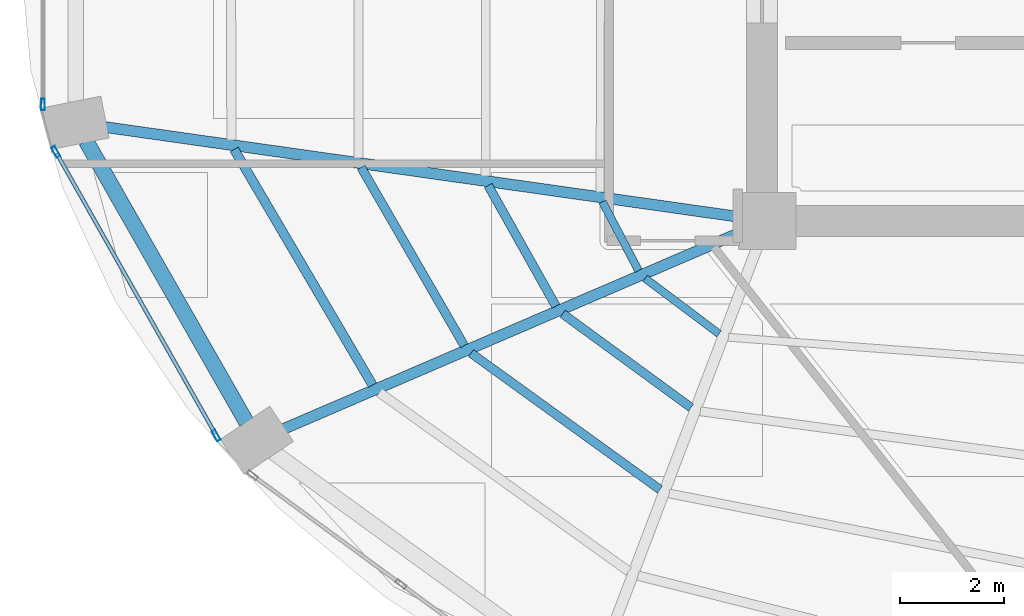
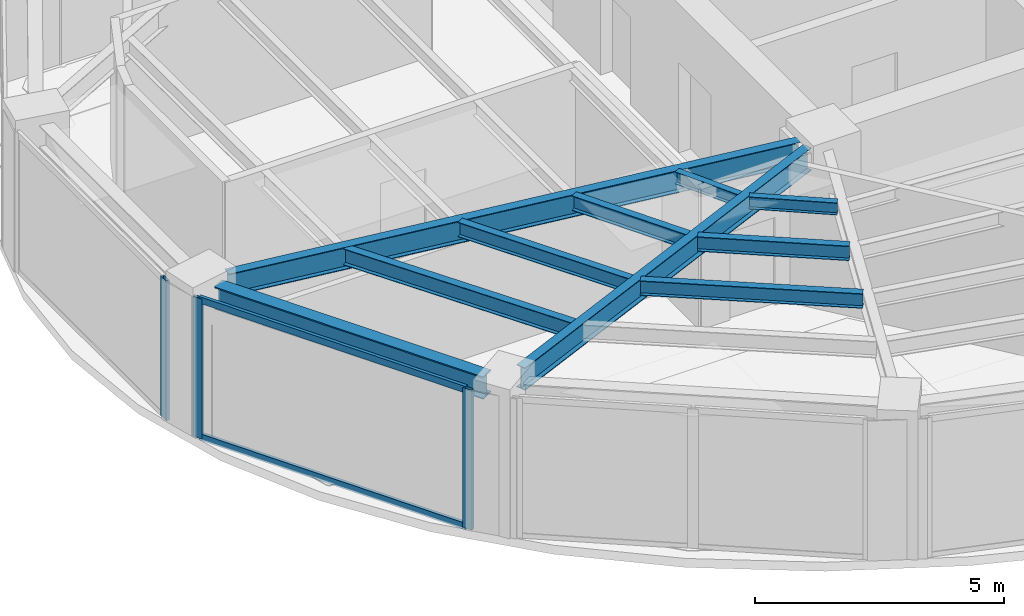
# One storey, part 3 of 20: 10 beams, 5 members, 2 elements without a shape of their own.
"""IFC4 building model written with IfcOpenShell, lengths in metres."""

from ifc_helpers import new_model, si_unit, direction, frame, origin, origin_2d, place, context, subcontext, project, spatial, hollow_rectangle, i_section, extrude, material, layer, layer_set, material_profile, profile_set, type_object, element, aggregate, save


model = new_model("IFC4")

# Units and contexts
model_context = context("Model", 3, precision=1e-05, world=origin(), true_north=direction((0.0, 1.0)))
body_context = subcontext(model_context, "Body", "Model", "MODEL_VIEW")
ifc_project = project(units=[si_unit("LENGTHUNIT", "METRE"), si_unit("AREAUNIT", "SQUARE_METRE"), si_unit("VOLUMEUNIT", "CUBIC_METRE"), si_unit("PLANEANGLEUNIT", "RADIAN"), si_unit("MASSUNIT", "GRAM", prefix="KILO")], contexts=[model_context])

# Site, building, storey
site_placement = place(None, origin())
site = spatial("IfcSite", under=ifc_project, at=site_placement, CompositionType="ELEMENT")
building_placement = place(site_placement, origin())
building = spatial("IfcBuilding", under=site, at=building_placement, Name="Lazwardi Medical Tower", CompositionType="ELEMENT")
storey_placement = place(building_placement, frame((0.0, 0.0, 152.8798828125)))
storey = spatial("IfcBuildingStorey", under=building, at=storey_placement, Name="L39", CompositionType="ELEMENT", Elevation=152.8798828125)

# Beams
ifc_material_1 = material(Name="Steel S355", Category="steel")
ifc_material_profile_1 = material_profile(ifc_material_1, i_section(OverallWidth=0.300048828125, OverallDepth=0.550048828125, WebThickness=0.014892578125, FlangeThickness=0.029052734375, at=origin_2d()), Name="HEB 550")
ifc_profile_set_1 = profile_set([ifc_material_profile_1], Name="Steel S355")
beam_type_1 = type_object("IfcBeamType", Name="BM-RB-Z3", PredefinedType="BEAM", material=ifc_profile_set_1)
beam_1_placement = place(storey_placement, frame((13.272216796875, 21.94091796875, 3.153076171875), z_axis=(0.495460926326, -0.868630226554, 0.0), x_axis=(0.868630226554, 0.495460926326, 0.0)))
element("IfcBeam", 1, at=beam_1_placement, inside=storey, type_object=beam_type_1, Name="Ring beam RB-04 B13 L39", PredefinedType="BEAM", context=body_context, shape_type="SweptSolid", body=[
    extrude(i_section(OverallWidth=0.300048828125, OverallDepth=0.550048828125, WebThickness=0.014892578125, FlangeThickness=0.029052734375, at=origin_2d()), origin(), (0.0, 0.0, 1.0), 6.24462890625),
])
ifc_material_profile_2 = material_profile(ifc_material_1, i_section(OverallWidth=0.2099609375, OverallDepth=0.550048828125, WebThickness=0.010986328125, FlangeThickness=0.01708984375, at=origin_2d()), Name="IPE 550")
ifc_profile_set_2 = profile_set([ifc_material_profile_2], Name="Steel S355")
beam_type_2 = type_object("IfcBeamType", Name="BM-RG-W2", PredefinedType="BEAM", material=ifc_profile_set_2)
beam_2_placement = place(storey_placement, frame((13.628662109375, 22.209716796875, 3.153076171875), z_axis=(0.99010958763, -0.140296131389, 0.0), x_axis=(0.140296131389, 0.99010958763, 0.0)))
element("IfcBeam", 2, at=beam_2_placement, inside=storey, type_object=beam_type_2, Name="Radial girder RG-03 R13 L39", PredefinedType="BEAM", context=body_context, shape_type="SweptSolid", body=[
    extrude(i_section(OverallWidth=0.2099609375, OverallDepth=0.550048828125, WebThickness=0.010986328125, FlangeThickness=0.01708984375, at=origin_2d()), origin(), (0.0, 0.0, 1.0), 12.364013671875),
])
beam_3_placement = place(storey_placement, frame((17.078857421875, 16.390380859375, 3.153076171875), z_axis=(0.918608156288, 0.395169653695, 0.0), x_axis=(-0.395169653695, 0.918608156288, 0.0)))
element("IfcBeam", 3, at=beam_3_placement, inside=storey, type_object=beam_type_2, Name="Radial girder RG-03 R14 L39", PredefinedType="BEAM", context=body_context, shape_type="SweptSolid", body=[
    extrude(i_section(OverallWidth=0.2099609375, OverallDepth=0.550048828125, WebThickness=0.010986328125, FlangeThickness=0.01708984375, at=origin_2d()), origin(), (0.0, 0.0, 1.0), 9.61181640625),
])
ifc_material_profile_3 = material_profile(ifc_material_1, i_section(OverallWidth=0.179931640625, OverallDepth=0.39990234375, WebThickness=0.008544921875, FlangeThickness=0.013427734375, at=origin_2d()), Name="IPE 400")
ifc_profile_set_3 = profile_set([ifc_material_profile_3], Name="Steel S355")
beam_type_3 = type_object("IfcBeamType", Name="BM-SJ-01", PredefinedType="JOIST", material=ifc_profile_set_3)
beam_4_placement = place(storey_placement, frame((16.127685546875, 21.776611328125, 3.22802734375), z_axis=(0.506420212881, -0.862286824662, 0.0), x_axis=(0.862286824662, 0.506420212881, 0.0)))
element("IfcBeam", 4, at=beam_4_placement, inside=storey, type_object=beam_type_3, Name="Secondary joist SJ-01 R1 B13 L39", PredefinedType="JOIST", context=body_context, shape_type="SweptSolid", body=[
    extrude(i_section(OverallWidth=0.179931640625, OverallDepth=0.39990234375, WebThickness=0.008544921875, FlangeThickness=0.013427734375, at=origin_2d()), origin(), (0.0, 0.0, 1.0), 5.265380859375),
])
ifc_material_profile_4 = material_profile(ifc_material_1, i_section(OverallWidth=0.169921875, OverallDepth=0.360107421875, WebThickness=0.008056640625, FlangeThickness=0.0126953125, at=origin_2d()), Name="IPE 360")
ifc_profile_set_4 = profile_set([ifc_material_profile_4], Name="Steel S355")
beam_type_4 = type_object("IfcBeamType", Name="BM-SJ-02", PredefinedType="JOIST", material=ifc_profile_set_4)
beam_5_placement = place(storey_placement, frame((18.5751953125, 21.42919921875, 3.248046875), z_axis=(0.500640648605, -0.865655209055, 0.0), x_axis=(0.865655209055, 0.500640648605, 0.0)))
element("IfcBeam", 5, at=beam_5_placement, inside=storey, type_object=beam_type_4, Name="Secondary joist SJ-02 R2 B13 L39", PredefinedType="JOIST", context=body_context, shape_type="SweptSolid", body=[
    extrude(i_section(OverallWidth=0.169921875, OverallDepth=0.360107421875, WebThickness=0.008056640625, FlangeThickness=0.0126953125, at=origin_2d()), origin(), (0.0, 0.0, 1.0), 3.965576171875),
])
beam_6_placement = place(storey_placement, frame((20.69189453125, 17.851318359375, 3.248046875), z_axis=(0.810738039179, -0.585409114917, 0.0), x_axis=(0.585409114917, 0.810738039179, 0.0)))
element("IfcBeam", 6, at=beam_6_placement, inside=storey, type_object=beam_type_4, Name="Secondary joist SJ-02 R2 B14 L39", PredefinedType="JOIST", context=body_context, shape_type="SweptSolid", body=[
    extrude(i_section(OverallWidth=0.169921875, OverallDepth=0.360107421875, WebThickness=0.008056640625, FlangeThickness=0.0126953125, at=origin_2d()), origin(), (0.0, 0.0, 1.0), 4.48779296875),
])
beam_7_placement = place(storey_placement, frame((21.022705078125, 21.081787109375, 3.248046875), z_axis=(0.489408945026, -0.872054404569, 0.0), x_axis=(0.872054404569, 0.489408945026, 0.0)))
element("IfcBeam", 7, at=beam_7_placement, inside=storey, type_object=beam_type_4, Name="Secondary joist SJ-02 R3 B13 L39", PredefinedType="JOIST", context=body_context, shape_type="SweptSolid", body=[
    extrude(i_section(OverallWidth=0.169921875, OverallDepth=0.360107421875, WebThickness=0.008056640625, FlangeThickness=0.0126953125, at=origin_2d()), origin(), (0.0, 0.0, 1.0), 2.666259765625),
])
beam_8_placement = place(storey_placement, frame((22.45751953125, 18.6103515625, 3.248046875), z_axis=(0.807285959008, -0.590160470033, 0.0), x_axis=(0.590160470033, 0.807285959008, 0.0)))
element("IfcBeam", 8, at=beam_8_placement, inside=storey, type_object=beam_type_4, Name="Secondary joist SJ-02 R3 B14 L39", PredefinedType="JOIST", context=body_context, shape_type="SweptSolid", body=[
    extrude(i_section(OverallWidth=0.169921875, OverallDepth=0.360107421875, WebThickness=0.008056640625, FlangeThickness=0.0126953125, at=origin_2d()), origin(), (0.0, 0.0, 1.0), 3.06298828125),
])
ifc_material_profile_5 = material_profile(ifc_material_1, i_section(OverallWidth=0.14990234375, OverallDepth=0.300048828125, WebThickness=0.007080078125, FlangeThickness=0.0107421875, at=origin_2d()), Name="IPE 300")
ifc_profile_set_5 = profile_set([ifc_material_profile_5], Name="Steel S355")
beam_type_5 = type_object("IfcBeamType", Name="BM-SJ-03", PredefinedType="JOIST", material=ifc_profile_set_5)
beam_9_placement = place(storey_placement, frame((23.2236328125, 20.768310546875, 3.278076171875), z_axis=(0.464469748171, -0.885588986513, 0.0), x_axis=(0.885588986513, 0.464469748171, 0.0)))
element("IfcBeam", 9, at=beam_9_placement, inside=storey, type_object=beam_type_5, Name="Secondary joist SJ-03 R4 B13 L39", PredefinedType="JOIST", context=body_context, shape_type="SweptSolid", body=[
    extrude(i_section(OverallWidth=0.14990234375, OverallDepth=0.300048828125, WebThickness=0.007080078125, FlangeThickness=0.0107421875, at=origin_2d()), origin(), (0.0, 0.0, 1.0), 1.498046875),
])
beam_10_placement = place(storey_placement, frame((24.0458984375, 19.29296875, 3.278076171875), z_axis=(0.799884834751, -0.600153522972, 0.0), x_axis=(0.600153522972, 0.799884834751, 0.0)))
element("IfcBeam", 10, at=beam_10_placement, inside=storey, type_object=beam_type_5, Name="Secondary joist SJ-03 R4 B14 L39", PredefinedType="JOIST", context=body_context, shape_type="SweptSolid", body=[
    extrude(i_section(OverallWidth=0.14990234375, OverallDepth=0.300048828125, WebThickness=0.007080078125, FlangeThickness=0.0107421875, at=origin_2d()), origin(), (0.0, 0.0, 1.0), 1.781005859375),
])

# Curtain wall, member
ifc_material_2 = material(Name="Anodised bronze aluminium and solar control glazing", Category="aluminium")
ifc_layer = layer(ifc_material_2, 0.195068359375)
ifc_layer_set = layer_set([ifc_layer], Name="Anodised bronze aluminium and solar control glazing")
curtain_wall_type = type_object("IfcCurtainWallType", Name="CW-SYS-03", PredefinedType="NOTDEFINED", material=ifc_layer_set)
curtain_wall_1_placement = place(storey_placement, origin())
curtain_wall_1 = element("IfcCurtainWall", 11, at=curtain_wall_1_placement, inside=storey, type_object=curtain_wall_type, Name="L39 Unitised bronze curtain wall CW-03", PredefinedType="NOTDEFINED")
ifc_material_3 = material(Name="Anodised bronze aluminium", Category="aluminium")
ifc_material_profile_6 = material_profile(ifc_material_3, hollow_rectangle(XDim=0.074951171875, YDim=0.219970703125, WallThickness=0.00390625, at=origin_2d()), Name="ALU-MULLION 220x75x4")
ifc_profile_set_6 = profile_set([ifc_material_profile_6], Name="Anodised bronze aluminium")
member_type_1 = type_object("IfcMemberType", Name="CW-MUL-01", PredefinedType="MULLION", material=ifc_profile_set_6)
member_1_placement = place(storey_placement, frame((12.4423828125, 22.64208984375, 0.0), z_axis=(0.0, 0.0, 1.0), x_axis=(1.0, 0.0, 0.0)))
member_1 = element("IfcMember", 12, at=member_1_placement, type_object=member_type_1, Name="CW-03 mullion 2", PredefinedType="MULLION", context=body_context, shape_type="SweptSolid", body=[
    extrude(hollow_rectangle(XDim=0.074951171875, YDim=0.219970703125, WallThickness=0.00390625, at=origin_2d()), origin(), (0.0, 0.0, 1.0), 3.42822265625),
])
aggregate(curtain_wall_1, [member_1])

# Curtain wall, members
curtain_wall_2_placement = place(storey_placement, origin())
curtain_wall_2 = element("IfcCurtainWall", 13, at=curtain_wall_2_placement, inside=storey, type_object=curtain_wall_type, Name="L39 Unitised bronze curtain wall CW-03", PredefinedType="NOTDEFINED")
member_2_placement = place(storey_placement, frame((12.68896484375, 21.732666015625, 0.0), z_axis=(0.0, 0.0, 1.0), x_axis=(0.870418989303, 0.492311672683, 0.0)))
member_2 = element("IfcMember", 14, at=member_2_placement, type_object=member_type_1, Name="CW-03 mullion 1", PredefinedType="MULLION", context=body_context, shape_type="SweptSolid", body=[
    extrude(hollow_rectangle(XDim=0.074951171875, YDim=0.219970703125, WallThickness=0.00390625, at=origin_2d()), origin(), (0.0, 0.0, 1.0), 3.42822265625),
])
member_3_placement = place(storey_placement, frame((15.782470703125, 16.26318359375, 0.0), z_axis=(0.0, 0.0, 1.0), x_axis=(0.870418989303, 0.492311672683, 0.0)))
member_3 = element("IfcMember", 15, at=member_3_placement, type_object=member_type_1, Name="CW-03 mullion 2", PredefinedType="MULLION", context=body_context, shape_type="SweptSolid", body=[
    extrude(hollow_rectangle(XDim=0.074951171875, YDim=0.219970703125, WallThickness=0.00390625, at=origin_2d()), origin(), (0.0, 0.0, 1.0), 3.42822265625),
])
ifc_material_profile_7 = material_profile(ifc_material_3, hollow_rectangle(XDim=0.074951171875, YDim=0.159912109375, WallThickness=0.00390625, at=origin_2d()), Name="ALU-TRANSOM 160x75x4")
ifc_profile_set_7 = profile_set([ifc_material_profile_7], Name="Anodised bronze aluminium")
member_type_2 = type_object("IfcMemberType", Name="CW-TRN-01", PredefinedType="USERDEFINED", material=ifc_profile_set_7)
member_4_placement = place(storey_placement, frame((12.707275390625, 21.7001953125, 0.03759765625), z_axis=(0.492306010269, -0.870422191958, 0.0), x_axis=(0.870422191958, 0.492306010269, 0.0)))
member_4 = element("IfcMember", 16, at=member_4_placement, type_object=member_type_2, Name="CW-03 transom 1.1", ObjectType="TRANSOM", PredefinedType="USERDEFINED", context=body_context, shape_type="SweptSolid", body=[
    extrude(hollow_rectangle(XDim=0.074951171875, YDim=0.159912109375, WallThickness=0.00390625, at=origin_2d()), origin(), (0.0, 0.0, 1.0), 6.208740234375),
])
member_5_placement = place(storey_placement, frame((12.707275390625, 21.7001953125, 3.390625), z_axis=(0.492306010269, -0.870422191958, 0.0), x_axis=(0.870422191958, 0.492306010269, 0.0)))
member_5 = element("IfcMember", 17, at=member_5_placement, type_object=member_type_2, Name="CW-03 transom 1.2", ObjectType="TRANSOM", PredefinedType="USERDEFINED", context=body_context, shape_type="SweptSolid", body=[
    extrude(hollow_rectangle(XDim=0.074951171875, YDim=0.159912109375, WallThickness=0.00390625, at=origin_2d()), origin(), (0.0, 0.0, 1.0), 6.208740234375),
])
aggregate(curtain_wall_2, [member_2, member_3, member_4, member_5])

save(model, "model.ifc")
